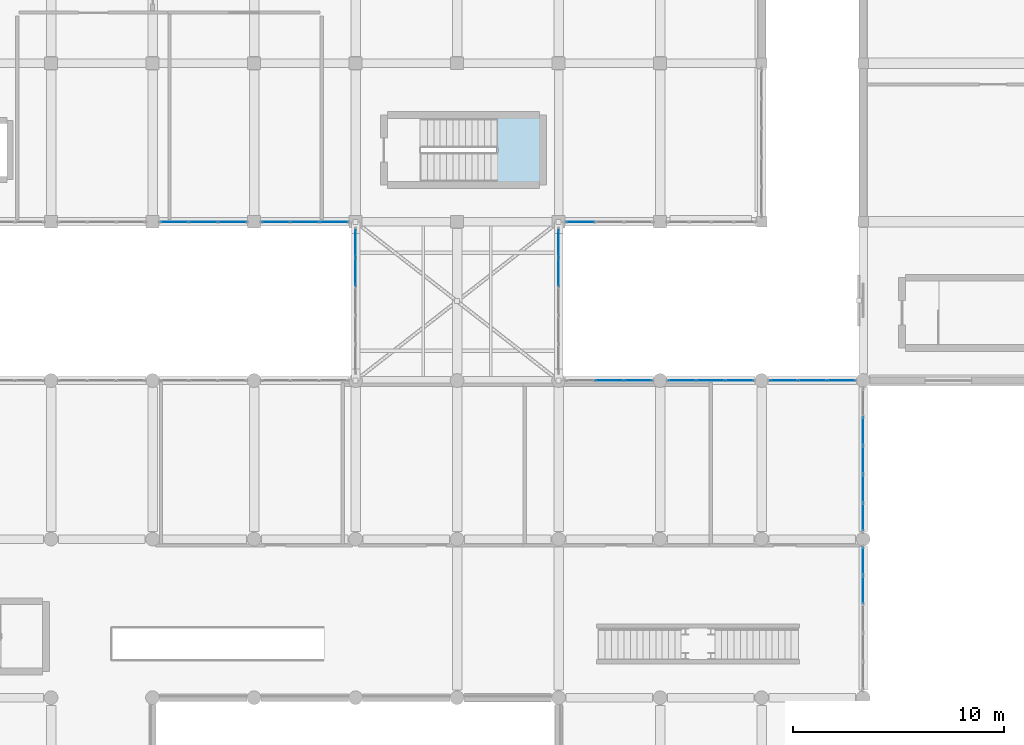
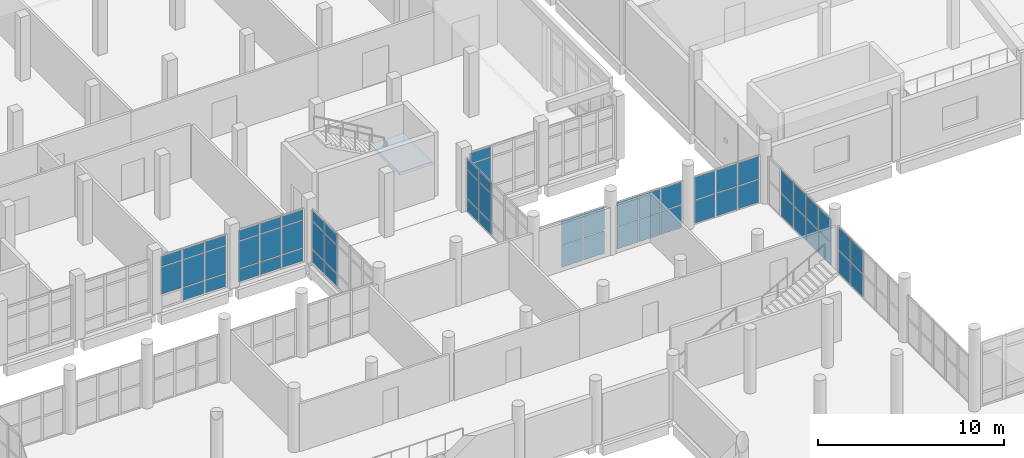
# One storey, part 133 of 164: 60 plates, 1 slab, 11 elements without a shape of their own.
"""IFC4 building model written with IfcOpenShell, lengths in metres."""

import ifcopenshell
import ifcopenshell.guid

model = None  # the IFC model being written
_history = None  # IfcOwnerHistory: only IFC2X3 demands one
_inside = {}  # id of a spatial element -> (the spatial element, [elements in it])
_under = {}  # id of a project, library or spatial element -> (it, [spatial elements below it])
_declared = {}  # id of a project -> (the project, [libraries it declares])
_typed = {}  # id of a type object -> (the type object, [elements of that type])
_made_of = {}  # id of a material, layer set ... -> (it, [elements and type objects made of it])


def new_model(schema):
    """Start an empty IFC model of exactly this schema.

    Asked for "IFC4X3", IfcOpenShell would pick the latest addendum, in which some entities
    have other attributes; the version numbers below select the first issue.
    IFC2X3 requires an IfcOwnerHistory on every rooted entity: one is made here for all.
    """
    global model, _history
    if schema == "IFC4X3":
        model = ifcopenshell.file(schema_version=(4, 3, 0, 0))
    else:
        model = ifcopenshell.file(schema=schema)
    _inside.clear()
    _under.clear()
    _declared.clear()
    _typed.clear()
    _made_of.clear()
    _history = None
    if model.schema == "IFC2X3":
        org = make("IfcOrganization", Name="unknown")
        user = make(
            "IfcPersonAndOrganization",
            ThePerson=make("IfcPerson", FamilyName="unknown"),
            TheOrganization=org,
        )
        app = make(
            "IfcApplication",
            ApplicationDeveloper=org,
            Version="unknown",
            ApplicationFullName="unknown",
            ApplicationIdentifier="unknown",
        )
        _history = make(
            "IfcOwnerHistory",
            OwningUser=user,
            OwningApplication=app,
            ChangeAction="ADDED",
            CreationDate=0,
        )
    return model


def make(cls, **values):
    """One entity of the class cls with the attributes given. An attribute that is None is left unset."""
    return model.create_entity(
        cls, **{name: value for name, value in values.items() if value is not None}
    )


def rooted(cls, **values):
    """An entity with a GlobalId (a new one), such as an element, a storey or a relation."""
    return make(cls, GlobalId=ifcopenshell.guid.new(), OwnerHistory=_history, **values)


def si_unit(unit_type, name, prefix=None):
    """IfcSIUnit, for example si_unit("LENGTHUNIT", "METRE", prefix="MILLI")."""
    return make("IfcSIUnit", UnitType=unit_type, Prefix=prefix, Name=name)


def assignment(units):
    """IfcUnitAssignment: the units of a project."""
    return None if units is None else make("IfcUnitAssignment", Units=units)


def point(xyz):
    """IfcCartesianPoint."""
    return None if xyz is None else make("IfcCartesianPoint", Coordinates=xyz)


def direction(xyz):
    """IfcDirection."""
    return None if xyz is None else make("IfcDirection", DirectionRatios=xyz)


def frame(location, z_axis=None, x_axis=None):
    """IfcAxis2Placement3D, a coordinate frame: its origin and axes. An axis left out is left unset."""
    return make(
        "IfcAxis2Placement3D",
        Location=point(location),
        Axis=direction(z_axis),
        RefDirection=direction(x_axis),
    )


def frame_2d(location, x_axis=None):
    """IfcAxis2Placement2D, a coordinate frame in the plane: its origin and x axis."""
    return make(
        "IfcAxis2Placement2D", Location=point(location), RefDirection=direction(x_axis)
    )


def origin():
    """The frame at (0, 0, 0) with its axes left unset."""
    return frame((0.0, 0.0, 0.0))


def origin_2d():
    """The frame at (0, 0) in the plane with its x axis left unset."""
    return frame_2d((0.0, 0.0))


def place(relative_to, where):
    """IfcLocalPlacement: puts the frame where relative to a parent placement (None: the world)."""
    return make(
        "IfcLocalPlacement", PlacementRelTo=relative_to, RelativePlacement=where
    )


def context(
    kind, dimensions, precision=None, world=None, true_north=None, identifier=None
):
    """IfcGeometricRepresentationContext, for example the 3D "Model" context."""
    return make(
        "IfcGeometricRepresentationContext",
        ContextIdentifier=identifier,
        ContextType=kind,
        CoordinateSpaceDimension=dimensions,
        Precision=precision,
        WorldCoordinateSystem=world,
        TrueNorth=true_north,
    )


def subcontext(parent, identifier, kind, view, scale=None):
    """IfcGeometricRepresentationSubContext, for example "Body" below "Model"."""
    return make(
        "IfcGeometricRepresentationSubContext",
        ContextIdentifier=identifier,
        ContextType=kind,
        ParentContext=parent,
        TargetScale=scale,
        TargetView=view,
    )


def project(units=None, contexts=None):
    """IfcProject with its units and contexts."""
    return rooted(
        "IfcProject",
        Name="project",
        RepresentationContexts=contexts,
        UnitsInContext=assignment(units),
    )


def spatial(cls, under=None, at=None, **own):
    """A site, building, storey or space (cls), placed at a placement, below another one or the project."""
    s = rooted(cls, ObjectPlacement=at, **own)
    if under is not None:
        _under.setdefault(under.id(), (under, []))[1].append(s)
    return s


def polyline(points):
    """IfcPolyline through the points."""
    return make("IfcPolyline", Points=[point(p) for p in points])


def profile(cls, at=None, kind="AREA", **sizes):
    """A parametric profile (cls). Its sizes go by their IFC names, for example OverallWidth=200.0."""
    return make(cls, ProfileType=kind, Position=at, **sizes)


def rectangle(**sizes):
    """IfcRectangleProfileDef."""
    return profile("IfcRectangleProfileDef", **sizes)


def outline(outer, holes=None, kind="AREA"):
    """IfcArbitraryClosedProfileDef: a profile drawn as a closed curve; with holes, ...WithVoids."""
    if holes is None:
        return make("IfcArbitraryClosedProfileDef", ProfileType=kind, OuterCurve=outer)
    return make(
        "IfcArbitraryProfileDefWithVoids",
        ProfileType=kind,
        OuterCurve=outer,
        InnerCurves=holes,
    )


def extrude(swept, where, along, depth):
    """IfcExtrudedAreaSolid: the profile swept, set in the frame where, extruded along a direction by depth."""
    return make(
        "IfcExtrudedAreaSolid",
        SweptArea=swept,
        Position=where,
        ExtrudedDirection=direction(along),
        Depth=depth,
    )


def shape(context_of_items, identifier, shape_type, items):
    """IfcShapeRepresentation: the items that make up one representation, for example the "Body"."""
    return make(
        "IfcShapeRepresentation",
        ContextOfItems=context_of_items,
        RepresentationIdentifier=identifier,
        RepresentationType=shape_type,
        Items=items,
    )


def material(Name=None, Category=None):
    """IfcMaterial."""
    return make("IfcMaterial", Name=Name, Category=Category)


def layer(
    of_material, thickness, ventilated=None, Name=None, Category=None, Priority=None
):
    """IfcMaterialLayer: one layer of a wall or slab, of a material (None: an air gap)."""
    return make(
        "IfcMaterialLayer",
        Material=of_material,
        LayerThickness=thickness,
        IsVentilated=ventilated,
        Name=Name,
        Category=Category,
        Priority=Priority,
    )


def layer_set(layers, Name=None):
    """IfcMaterialLayerSet."""
    return make("IfcMaterialLayerSet", MaterialLayers=layers, LayerSetName=Name)


def made_of(thing, what):
    """Note that an element or type object is made of a material, layer set ...; save() writes the relation."""
    if what is not None:
        _made_of.setdefault(what.id(), (what, []))[1].append(thing)
    return thing


def type_object(cls, material=None, **own):
    """A type object (cls), such as IfcWallType, which elements share."""
    return made_of(rooted(cls, **own), material)


def element(
    cls,
    number,
    at=None,
    inside=None,
    cuts=None,
    type_object=None,
    material=None,
    context=None,
    identifier="Body",
    shape_type=None,
    held_by="IfcProductDefinitionShape",
    body=None,
    shapes=None,
    **own,
):
    """One element of the class cls, such as IfcWall. Its Tag is "e" and its number.

    at: its placement. inside: the storey or other place that contains it. cuts: it is an
    opening in that element (IfcRelVoidsElement). A single representation is given by context,
    identifier, shape_type and body (its items); several are given by shapes. held_by: the class
    of the entity that holds the representations. save() writes the other relations.
    """
    e = rooted(cls, Tag="e%d" % number, ObjectPlacement=at, **own)
    if body is not None:
        shapes = [shape(context, identifier, shape_type, body)]
    if shapes is not None:
        e.Representation = make(held_by, Representations=shapes)
    if inside is not None:
        _inside.setdefault(inside.id(), (inside, []))[1].append(e)
    if cuts is not None:
        rooted(
            "IfcRelVoidsElement", RelatingBuildingElement=cuts, RelatedOpeningElement=e
        )
    if type_object is not None:
        _typed.setdefault(type_object.id(), (type_object, []))[1].append(e)
    return made_of(e, material)


def aggregate(whole, parts):
    """IfcRelAggregates: a whole, such as a stair, and the parts it consists of."""
    return rooted("IfcRelAggregates", RelatingObject=whole, RelatedObjects=parts)


def save(model, path):
    """Write the relations noted so far, then the file.

    IfcRelAggregates (storeys below a building ...), IfcRelContainedInSpatialStructure (elements
    in a storey), IfcRelDefinesByType, IfcRelAssociatesMaterial and IfcRelDeclares: one each for
    every whole, place, type object, material and project.
    """
    for whole, parts in _under.values():
        aggregate(whole, parts)
    for where, things in _inside.values():
        rooted(
            "IfcRelContainedInSpatialStructure",
            RelatedElements=things,
            RelatingStructure=where,
        )
    for kind, things in _typed.values():
        rooted("IfcRelDefinesByType", RelatedObjects=things, RelatingType=kind)
    for what, things in _made_of.values():
        rooted("IfcRelAssociatesMaterial", RelatedObjects=things, RelatingMaterial=what)
    for by, libraries in _declared.values():
        rooted("IfcRelDeclares", RelatingContext=by, RelatedDefinitions=libraries)
    model.write(path)


model = new_model("IFC4")

# Units and contexts
model_context = context("Model", 3, precision=1e-05, world=origin(), true_north=direction((0.0, 1.0)))
body_context = subcontext(model_context, "Body", "Model", "MODEL_VIEW")
ifc_project = project(units=[si_unit("LENGTHUNIT", "METRE"), si_unit("AREAUNIT", "SQUARE_METRE"), si_unit("VOLUMEUNIT", "CUBIC_METRE"), si_unit("PLANEANGLEUNIT", "RADIAN"), si_unit("MASSUNIT", "GRAM", prefix="KILO")], contexts=[model_context])

# Site, building, storey
site_placement = place(None, origin())
site = spatial("IfcSite", under=ifc_project, at=site_placement, CompositionType="ELEMENT")
building_placement = place(site_placement, origin())
building = spatial("IfcBuilding", under=site, at=building_placement, Name="Mawjan Specialist Oncology Clinic", CompositionType="ELEMENT")
storey_placement = place(building_placement, frame((0.0, 0.0, 5.0)))
storey = spatial("IfcBuildingStorey", under=building, at=storey_placement, Name="L01", CompositionType="ELEMENT", Elevation=5.0)

# Curtain wall, plates
ifc_material_1 = material(Name="Unitised spectrally selective aluminium curtain wall", Category="aluminium")
ifc_layer_1 = layer(ifc_material_1, 0.179931640625, Name="Unitised spectrally selective aluminium curtain wall", Category="aluminium")
ifc_layer_set_1 = layer_set([ifc_layer_1], Name="Unitised spectrally selective aluminium curtain wall")
curtain_wall_type_1 = type_object("IfcCurtainWallType", Name="CW-57", PredefinedType="NOTDEFINED", material=ifc_layer_set_1)
curtain_wall_1_placement = place(storey_placement, origin())
curtain_wall_1 = element("IfcCurtainWall", 1, at=curtain_wall_1_placement, inside=storey, type_object=curtain_wall_type_1, Name="L01 Unitised Curtain Wall CW-L01-108", PredefinedType="NOTDEFINED")
ifc_material_2 = material(Name="Spectrally selective double low-E glazing", Category="glass")
ifc_layer_2 = layer(ifc_material_2, 0.031982421875, Name="Spectrally selective double low-E glazing", Category="glass")
ifc_layer_set_2 = layer_set([ifc_layer_2], Name="Spectrally selective double low-E glazing")
plate_type = type_object("IfcPlateType", Name="CW-P32", PredefinedType="CURTAIN_PANEL", material=ifc_layer_set_2)
plate_1_placement = place(storey_placement, frame((84.0, 80.929443359375, 0.06494140625), z_axis=(0.0, 0.0, 1.0), x_axis=(0.0, 1.0, 0.0)))
plate_1 = element("IfcPlate", 2, at=plate_1_placement, type_object=plate_type, Name="CW-57 panel 4.1", PredefinedType="CURTAIN_PANEL", context=body_context, shape_type="SweptSolid", body=[
    extrude(rectangle(XDim=1.302001953125, YDim=0.031982421875, at=origin_2d()), origin(), (0.0, 0.0, 1.0), 0.802490234375),
])
plate_2_placement = place(storey_placement, frame((84.0, 80.929443359375, 0.9326171875), z_axis=(0.0, 0.0, 1.0), x_axis=(0.0, 1.0, 0.0)))
plate_2 = element("IfcPlate", 3, at=plate_2_placement, type_object=plate_type, Name="CW-57 panel 4.2", PredefinedType="CURTAIN_PANEL", context=body_context, shape_type="SweptSolid", body=[
    extrude(rectangle(XDim=1.302001953125, YDim=0.031982421875, at=origin_2d()), origin(), (0.0, 0.0, 1.0), 1.820068359375),
])
plate_3_placement = place(storey_placement, frame((84.0, 80.929443359375, 2.8173828125), z_axis=(0.0, 0.0, 1.0), x_axis=(0.0, 1.0, 0.0)))
plate_3 = element("IfcPlate", 4, at=plate_3_placement, type_object=plate_type, Name="CW-57 panel 4.3", PredefinedType="CURTAIN_PANEL", context=body_context, shape_type="SweptSolid", body=[
    extrude(rectangle(XDim=1.302001953125, YDim=0.031982421875, at=origin_2d()), origin(), (0.0, 0.0, 1.0), 0.652587890625),
])
plate_4_placement = place(storey_placement, frame((84.0, 82.2802734375, 0.06494140625), z_axis=(0.0, 0.0, 1.0), x_axis=(0.0, 1.0, 0.0)))
plate_4 = element("IfcPlate", 5, at=plate_4_placement, type_object=plate_type, Name="CW-57 panel 5.1", PredefinedType="CURTAIN_PANEL", context=body_context, shape_type="SweptSolid", body=[
    extrude(rectangle(XDim=1.26953125, YDim=0.031982421875, at=origin_2d()), origin(), (0.0, 0.0, 1.0), 0.802490234375),
])
plate_5_placement = place(storey_placement, frame((84.0, 82.2802734375, 0.9326171875), z_axis=(0.0, 0.0, 1.0), x_axis=(0.0, 1.0, 0.0)))
plate_5 = element("IfcPlate", 6, at=plate_5_placement, type_object=plate_type, Name="CW-57 panel 5.2", PredefinedType="CURTAIN_PANEL", context=body_context, shape_type="SweptSolid", body=[
    extrude(rectangle(XDim=1.26953125, YDim=0.031982421875, at=origin_2d()), origin(), (0.0, 0.0, 1.0), 1.820068359375),
])
plate_6_placement = place(storey_placement, frame((84.0, 82.2802734375, 2.8173828125), z_axis=(0.0, 0.0, 1.0), x_axis=(0.0, 1.0, 0.0)))
plate_6 = element("IfcPlate", 7, at=plate_6_placement, type_object=plate_type, Name="CW-57 panel 5.3", PredefinedType="CURTAIN_PANEL", context=body_context, shape_type="SweptSolid", body=[
    extrude(rectangle(XDim=1.26953125, YDim=0.031982421875, at=origin_2d()), origin(), (0.0, 0.0, 1.0), 0.652587890625),
])
aggregate(curtain_wall_1, [plate_1, plate_2, plate_3, plate_4, plate_5, plate_6])

ifc_material_3 = material(Name="Unitised spectrally selective aluminium curtain wall", Category="aluminium")
ifc_layer_3 = layer(ifc_material_3, 0.179931640625, Name="Unitised spectrally selective aluminium curtain wall", Category="aluminium")
ifc_layer_set_3 = layer_set([ifc_layer_3], Name="Unitised spectrally selective aluminium curtain wall")
curtain_wall_type_2 = type_object("IfcCurtainWallType", Name="CW-58", PredefinedType="NOTDEFINED", material=ifc_layer_set_3)
curtain_wall_2_placement = place(storey_placement, origin())
curtain_wall_2 = element("IfcCurtainWall", 8, at=curtain_wall_2_placement, inside=storey, type_object=curtain_wall_type_2, Name="L01 Unitised Curtain Wall CW-L01-109", PredefinedType="NOTDEFINED")
plate_7_placement = place(storey_placement, frame((82.9716796875, 83.300048828125, 0.06005859375), z_axis=(0.0, 0.0, 1.0), x_axis=(-1.0, 0.0, 0.0)))
plate_7 = element("IfcPlate", 9, at=plate_7_placement, type_object=plate_type, Name="CW-58 panel 1.1", PredefinedType="CURTAIN_PANEL", context=body_context, shape_type="SweptSolid", body=[
    extrude(rectangle(XDim=1.296630859375, YDim=0.031982421875, at=origin_2d()), origin(), (0.0, 0.0, 1.0), 0.81005859375),
])
plate_8_placement = place(storey_placement, frame((82.9716796875, 83.300048828125, 0.929931640625), z_axis=(0.0, 0.0, 1.0), x_axis=(-1.0, 0.0, 0.0)))
plate_8 = element("IfcPlate", 10, at=plate_8_placement, type_object=plate_type, Name="CW-58 panel 1.2", PredefinedType="CURTAIN_PANEL", context=body_context, shape_type="SweptSolid", body=[
    extrude(rectangle(XDim=1.296630859375, YDim=0.031982421875, at=origin_2d()), origin(), (0.0, 0.0, 1.0), 1.77490234375),
])
plate_9_placement = place(storey_placement, frame((82.9716796875, 83.300048828125, 2.76513671875), z_axis=(0.0, 0.0, 1.0), x_axis=(-1.0, 0.0, 0.0)))
plate_9 = element("IfcPlate", 11, at=plate_9_placement, type_object=plate_type, Name="CW-58 panel 1.3", PredefinedType="CURTAIN_PANEL", context=body_context, shape_type="SweptSolid", body=[
    extrude(rectangle(XDim=1.296630859375, YDim=0.031982421875, at=origin_2d()), origin(), (0.0, 0.0, 1.0), 0.659912109375),
])
plate_10_placement = place(storey_placement, frame((81.60009765625, 83.300048828125, 0.06005859375), z_axis=(0.0, 0.0, 1.0), x_axis=(-1.0, 0.0, 0.0)))
plate_10 = element("IfcPlate", 12, at=plate_10_placement, type_object=plate_type, Name="CW-58 panel 2.1", PredefinedType="CURTAIN_PANEL", context=body_context, shape_type="SweptSolid", body=[
    extrude(rectangle(XDim=1.32666015625, YDim=0.031982421875, at=origin_2d()), origin(), (0.0, 0.0, 1.0), 0.81005859375),
])
plate_11_placement = place(storey_placement, frame((81.60009765625, 83.300048828125, 0.929931640625), z_axis=(0.0, 0.0, 1.0), x_axis=(-1.0, 0.0, 0.0)))
plate_11 = element("IfcPlate", 13, at=plate_11_placement, type_object=plate_type, Name="CW-58 panel 2.2", PredefinedType="CURTAIN_PANEL", context=body_context, shape_type="SweptSolid", body=[
    extrude(rectangle(XDim=1.32666015625, YDim=0.031982421875, at=origin_2d()), origin(), (0.0, 0.0, 1.0), 1.77490234375),
])
plate_12_placement = place(storey_placement, frame((81.60009765625, 83.300048828125, 2.76513671875), z_axis=(0.0, 0.0, 1.0), x_axis=(-1.0, 0.0, 0.0)))
plate_12 = element("IfcPlate", 14, at=plate_12_placement, type_object=plate_type, Name="CW-58 panel 2.3", PredefinedType="CURTAIN_PANEL", context=body_context, shape_type="SweptSolid", body=[
    extrude(rectangle(XDim=1.32666015625, YDim=0.031982421875, at=origin_2d()), origin(), (0.0, 0.0, 1.0), 0.659912109375),
])
plate_13_placement = place(storey_placement, frame((80.228271484375, 83.300048828125, 0.06005859375), z_axis=(0.0, 0.0, 1.0), x_axis=(-1.0, 0.0, 0.0)))
plate_13 = element("IfcPlate", 15, at=plate_13_placement, type_object=plate_type, Name="CW-58 panel 3.1", PredefinedType="CURTAIN_PANEL", context=body_context, shape_type="SweptSolid", body=[
    extrude(rectangle(XDim=1.296630859375, YDim=0.031982421875, at=origin_2d()), origin(), (0.0, 0.0, 1.0), 0.81005859375),
])
plate_14_placement = place(storey_placement, frame((80.228271484375, 83.300048828125, 0.929931640625), z_axis=(0.0, 0.0, 1.0), x_axis=(-1.0, 0.0, 0.0)))
plate_14 = element("IfcPlate", 16, at=plate_14_placement, type_object=plate_type, Name="CW-58 panel 3.2", PredefinedType="CURTAIN_PANEL", context=body_context, shape_type="SweptSolid", body=[
    extrude(rectangle(XDim=1.296630859375, YDim=0.031982421875, at=origin_2d()), origin(), (0.0, 0.0, 1.0), 1.77490234375),
])
plate_15_placement = place(storey_placement, frame((80.228271484375, 83.300048828125, 2.76513671875), z_axis=(0.0, 0.0, 1.0), x_axis=(-1.0, 0.0, 0.0)))
plate_15 = element("IfcPlate", 17, at=plate_15_placement, type_object=plate_type, Name="CW-58 panel 3.3", PredefinedType="CURTAIN_PANEL", context=body_context, shape_type="SweptSolid", body=[
    extrude(rectangle(XDim=1.296630859375, YDim=0.031982421875, at=origin_2d()), origin(), (0.0, 0.0, 1.0), 0.659912109375),
])
aggregate(curtain_wall_2, [plate_7, plate_8, plate_9, plate_10, plate_11, plate_12, plate_13, plate_14, plate_15])

curtain_wall_3_placement = place(storey_placement, origin())
curtain_wall_3 = element("IfcCurtainWall", 18, at=curtain_wall_3_placement, inside=storey, type_object=curtain_wall_type_2, Name="L01 Unitised Curtain Wall CW-L01-110", PredefinedType="NOTDEFINED")
plate_16_placement = place(storey_placement, frame((78.171630859375, 83.300048828125, 0.06005859375), z_axis=(0.0, 0.0, 1.0), x_axis=(-1.0, 0.0, 0.0)))
plate_16 = element("IfcPlate", 19, at=plate_16_placement, type_object=plate_type, Name="CW-58 panel 1.1", PredefinedType="CURTAIN_PANEL", context=body_context, shape_type="SweptSolid", body=[
    extrude(rectangle(XDim=1.296630859375, YDim=0.031982421875, at=origin_2d()), origin(), (0.0, 0.0, 1.0), 0.81005859375),
])
plate_17_placement = place(storey_placement, frame((78.171630859375, 83.300048828125, 0.929931640625), z_axis=(0.0, 0.0, 1.0), x_axis=(-1.0, 0.0, 0.0)))
plate_17 = element("IfcPlate", 20, at=plate_17_placement, type_object=plate_type, Name="CW-58 panel 1.2", PredefinedType="CURTAIN_PANEL", context=body_context, shape_type="SweptSolid", body=[
    extrude(rectangle(XDim=1.296630859375, YDim=0.031982421875, at=origin_2d()), origin(), (0.0, 0.0, 1.0), 1.77490234375),
])
plate_18_placement = place(storey_placement, frame((78.171630859375, 83.300048828125, 2.76513671875), z_axis=(0.0, 0.0, 1.0), x_axis=(-1.0, 0.0, 0.0)))
plate_18 = element("IfcPlate", 21, at=plate_18_placement, type_object=plate_type, Name="CW-58 panel 1.3", PredefinedType="CURTAIN_PANEL", context=body_context, shape_type="SweptSolid", body=[
    extrude(rectangle(XDim=1.296630859375, YDim=0.031982421875, at=origin_2d()), origin(), (0.0, 0.0, 1.0), 0.659912109375),
])
plate_19_placement = place(storey_placement, frame((76.800048828125, 83.300048828125, 0.06005859375), z_axis=(0.0, 0.0, 1.0), x_axis=(-1.0, 0.0, 0.0)))
plate_19 = element("IfcPlate", 22, at=plate_19_placement, type_object=plate_type, Name="CW-58 panel 2.1", PredefinedType="CURTAIN_PANEL", context=body_context, shape_type="SweptSolid", body=[
    extrude(rectangle(XDim=1.32666015625, YDim=0.031982421875, at=origin_2d()), origin(), (0.0, 0.0, 1.0), 0.81005859375),
])
plate_20_placement = place(storey_placement, frame((76.800048828125, 83.300048828125, 0.929931640625), z_axis=(0.0, 0.0, 1.0), x_axis=(-1.0, 0.0, 0.0)))
plate_20 = element("IfcPlate", 23, at=plate_20_placement, type_object=plate_type, Name="CW-58 panel 2.2", PredefinedType="CURTAIN_PANEL", context=body_context, shape_type="SweptSolid", body=[
    extrude(rectangle(XDim=1.32666015625, YDim=0.031982421875, at=origin_2d()), origin(), (0.0, 0.0, 1.0), 1.77490234375),
])
plate_21_placement = place(storey_placement, frame((76.800048828125, 83.300048828125, 2.76513671875), z_axis=(0.0, 0.0, 1.0), x_axis=(-1.0, 0.0, 0.0)))
plate_21 = element("IfcPlate", 24, at=plate_21_placement, type_object=plate_type, Name="CW-58 panel 2.3", PredefinedType="CURTAIN_PANEL", context=body_context, shape_type="SweptSolid", body=[
    extrude(rectangle(XDim=1.32666015625, YDim=0.031982421875, at=origin_2d()), origin(), (0.0, 0.0, 1.0), 0.659912109375),
])
plate_22_placement = place(storey_placement, frame((75.42822265625, 83.300048828125, 0.929931640625), z_axis=(0.0, 0.0, 1.0), x_axis=(-1.0, 0.0, 0.0)))
plate_22 = element("IfcPlate", 25, at=plate_22_placement, type_object=plate_type, Name="CW-58 panel 3.2", PredefinedType="CURTAIN_PANEL", context=body_context, shape_type="SweptSolid", body=[
    extrude(rectangle(XDim=1.296630859375, YDim=0.031982421875, at=origin_2d()), origin(), (0.0, 0.0, 1.0), 1.77490234375),
])
plate_23_placement = place(storey_placement, frame((75.42822265625, 83.300048828125, 2.76513671875), z_axis=(0.0, 0.0, 1.0), x_axis=(-1.0, 0.0, 0.0)))
plate_23 = element("IfcPlate", 26, at=plate_23_placement, type_object=plate_type, Name="CW-58 panel 3.3", PredefinedType="CURTAIN_PANEL", context=body_context, shape_type="SweptSolid", body=[
    extrude(rectangle(XDim=1.296630859375, YDim=0.031982421875, at=origin_2d()), origin(), (0.0, 0.0, 1.0), 0.659912109375),
])
aggregate(curtain_wall_3, [plate_16, plate_17, plate_18, plate_19, plate_20, plate_21, plate_22, plate_23])

ifc_material_4 = material(Name="Unitised spectrally selective aluminium curtain wall", Category="aluminium")
ifc_layer_4 = layer(ifc_material_4, 0.179931640625, Name="Unitised spectrally selective aluminium curtain wall", Category="aluminium")
ifc_layer_set_4 = layer_set([ifc_layer_4], Name="Unitised spectrally selective aluminium curtain wall")
curtain_wall_type_3 = type_object("IfcCurtainWallType", Name="CW-59", PredefinedType="NOTDEFINED", material=ifc_layer_set_4)
curtain_wall_4_placement = place(storey_placement, origin())
curtain_wall_4 = element("IfcCurtainWall", 27, at=curtain_wall_4_placement, inside=storey, type_object=curtain_wall_type_3, Name="L01 Unitised Curtain Wall CW-L01-127", PredefinedType="NOTDEFINED")
plate_24_placement = place(storey_placement, frame((94.62841796875, 83.300048828125, 0.06005859375), z_axis=(0.0, 0.0, 1.0), x_axis=(-1.0, 0.0, 0.0)))
plate_24 = element("IfcPlate", 28, at=plate_24_placement, type_object=plate_type, Name="CW-59 panel 3.1", PredefinedType="CURTAIN_PANEL", context=body_context, shape_type="SweptSolid", body=[
    extrude(rectangle(XDim=1.296630859375, YDim=0.031982421875, at=origin_2d()), origin(), (0.0, 0.0, 1.0), 0.81005859375),
])
plate_25_placement = place(storey_placement, frame((94.62841796875, 83.300048828125, 0.93017578125), z_axis=(0.0, 0.0, 1.0), x_axis=(-1.0, 0.0, 0.0)))
plate_25 = element("IfcPlate", 29, at=plate_25_placement, type_object=plate_type, Name="CW-59 panel 3.2", PredefinedType="CURTAIN_PANEL", context=body_context, shape_type="SweptSolid", body=[
    extrude(rectangle(XDim=1.296630859375, YDim=0.031982421875, at=origin_2d()), origin(), (0.0, 0.0, 1.0), 1.824951171875),
])
plate_26_placement = place(storey_placement, frame((94.62841796875, 83.300048828125, 2.81494140625), z_axis=(0.0, 0.0, 1.0), x_axis=(-1.0, 0.0, 0.0)))
plate_26 = element("IfcPlate", 30, at=plate_26_placement, type_object=plate_type, Name="CW-59 panel 3.3", PredefinedType="CURTAIN_PANEL", context=body_context, shape_type="SweptSolid", body=[
    extrude(rectangle(XDim=1.296630859375, YDim=0.031982421875, at=origin_2d()), origin(), (0.0, 0.0, 1.0), 0.659912109375),
])
aggregate(curtain_wall_4, [plate_24, plate_25, plate_26])

curtain_wall_5_placement = place(storey_placement, origin())
curtain_wall_5 = element("IfcCurtainWall", 31, at=curtain_wall_5_placement, inside=storey, type_object=curtain_wall_type_1, Name="L01 Unitised Curtain Wall CW-L01-128", PredefinedType="NOTDEFINED")
plate_27_placement = place(storey_placement, frame((93.60009765625, 82.2802734375, 0.06494140625), z_axis=(0.0, 0.0, 1.0), x_axis=(0.0, -1.0, 0.0)))
plate_27 = element("IfcPlate", 32, at=plate_27_placement, type_object=plate_type, Name="CW-57 panel 1.1", PredefinedType="CURTAIN_PANEL", context=body_context, shape_type="SweptSolid", body=[
    extrude(rectangle(XDim=1.26953125, YDim=0.031982421875, at=origin_2d()), origin(), (0.0, 0.0, 1.0), 0.802490234375),
])
plate_28_placement = place(storey_placement, frame((93.60009765625, 82.2802734375, 0.9326171875), z_axis=(0.0, 0.0, 1.0), x_axis=(0.0, -1.0, 0.0)))
plate_28 = element("IfcPlate", 33, at=plate_28_placement, type_object=plate_type, Name="CW-57 panel 1.2", PredefinedType="CURTAIN_PANEL", context=body_context, shape_type="SweptSolid", body=[
    extrude(rectangle(XDim=1.26953125, YDim=0.031982421875, at=origin_2d()), origin(), (0.0, 0.0, 1.0), 1.820068359375),
])
plate_29_placement = place(storey_placement, frame((93.60009765625, 82.2802734375, 2.8173828125), z_axis=(0.0, 0.0, 1.0), x_axis=(0.0, -1.0, 0.0)))
plate_29 = element("IfcPlate", 34, at=plate_29_placement, type_object=plate_type, Name="CW-57 panel 1.3", PredefinedType="CURTAIN_PANEL", context=body_context, shape_type="SweptSolid", body=[
    extrude(rectangle(XDim=1.26953125, YDim=0.031982421875, at=origin_2d()), origin(), (0.0, 0.0, 1.0), 0.652587890625),
])
plate_30_placement = place(storey_placement, frame((93.60009765625, 80.929443359375, 0.06494140625), z_axis=(0.0, 0.0, 1.0), x_axis=(0.0, -1.0, 0.0)))
plate_30 = element("IfcPlate", 35, at=plate_30_placement, type_object=plate_type, Name="CW-57 panel 2.1", PredefinedType="CURTAIN_PANEL", context=body_context, shape_type="SweptSolid", body=[
    extrude(rectangle(XDim=1.302001953125, YDim=0.031982421875, at=origin_2d()), origin(), (0.0, 0.0, 1.0), 0.802490234375),
])
plate_31_placement = place(storey_placement, frame((93.60009765625, 80.929443359375, 0.9326171875), z_axis=(0.0, 0.0, 1.0), x_axis=(0.0, -1.0, 0.0)))
plate_31 = element("IfcPlate", 36, at=plate_31_placement, type_object=plate_type, Name="CW-57 panel 2.2", PredefinedType="CURTAIN_PANEL", context=body_context, shape_type="SweptSolid", body=[
    extrude(rectangle(XDim=1.302001953125, YDim=0.031982421875, at=origin_2d()), origin(), (0.0, 0.0, 1.0), 1.820068359375),
])
plate_32_placement = place(storey_placement, frame((93.60009765625, 80.929443359375, 2.8173828125), z_axis=(0.0, 0.0, 1.0), x_axis=(0.0, -1.0, 0.0)))
plate_32 = element("IfcPlate", 37, at=plate_32_placement, type_object=plate_type, Name="CW-57 panel 2.3", PredefinedType="CURTAIN_PANEL", context=body_context, shape_type="SweptSolid", body=[
    extrude(rectangle(XDim=1.302001953125, YDim=0.031982421875, at=origin_2d()), origin(), (0.0, 0.0, 1.0), 0.652587890625),
])
aggregate(curtain_wall_5, [plate_27, plate_28, plate_29, plate_30, plate_31, plate_32])

ifc_material_5 = material(Name="Unitised spectrally selective aluminium curtain wall", Category="aluminium")
ifc_layer_5 = layer(ifc_material_5, 0.179931640625, Name="Unitised spectrally selective aluminium curtain wall", Category="aluminium")
ifc_layer_set_5 = layer_set([ifc_layer_5], Name="Unitised spectrally selective aluminium curtain wall")
curtain_wall_type_4 = type_object("IfcCurtainWallType", Name="CW-56", PredefinedType="NOTDEFINED", material=ifc_layer_set_5)
curtain_wall_6_placement = place(storey_placement, origin())
curtain_wall_6 = element("IfcCurtainWall", 38, at=curtain_wall_6_placement, inside=storey, type_object=curtain_wall_type_4, Name="L01 Unitised Curtain Wall CW-L01-129", PredefinedType="NOTDEFINED")
plate_33_placement = place(storey_placement, frame((96.0, 75.800048828125, 0.06005859375), z_axis=(0.0, 0.0, 1.0), x_axis=(1.0, 0.0, 0.0)))
plate_33 = element("IfcPlate", 39, at=plate_33_placement, type_object=plate_type, Name="CW-56 panel 2.1", PredefinedType="CURTAIN_PANEL", context=body_context, shape_type="SweptSolid", body=[
    extrude(rectangle(XDim=1.31005859375, YDim=0.031982421875, at=origin_2d()), origin(), (0.0, 0.0, 1.0), 1.47998046875),
])
plate_34_placement = place(storey_placement, frame((96.0, 75.800048828125, 1.60009765625), z_axis=(0.0, 0.0, 1.0), x_axis=(1.0, 0.0, 0.0)))
plate_34 = element("IfcPlate", 40, at=plate_34_placement, type_object=plate_type, Name="CW-56 panel 2.2", PredefinedType="CURTAIN_PANEL", context=body_context, shape_type="SweptSolid", body=[
    extrude(rectangle(XDim=1.31005859375, YDim=0.031982421875, at=origin_2d()), origin(), (0.0, 0.0, 1.0), 1.47998046875),
])
plate_35_placement = place(storey_placement, frame((97.35498046875, 75.800048828125, 0.06005859375), z_axis=(0.0, 0.0, 1.0), x_axis=(1.0, 0.0, 0.0)))
plate_35 = element("IfcPlate", 41, at=plate_35_placement, type_object=plate_type, Name="CW-56 panel 3.1", PredefinedType="CURTAIN_PANEL", context=body_context, shape_type="SweptSolid", body=[
    extrude(rectangle(XDim=1.280029296875, YDim=0.031982421875, at=origin_2d()), origin(), (0.0, 0.0, 1.0), 1.47998046875),
])
plate_36_placement = place(storey_placement, frame((97.35498046875, 75.800048828125, 1.60009765625), z_axis=(0.0, 0.0, 1.0), x_axis=(1.0, 0.0, 0.0)))
plate_36 = element("IfcPlate", 42, at=plate_36_placement, type_object=plate_type, Name="CW-56 panel 3.2", PredefinedType="CURTAIN_PANEL", context=body_context, shape_type="SweptSolid", body=[
    extrude(rectangle(XDim=1.280029296875, YDim=0.031982421875, at=origin_2d()), origin(), (0.0, 0.0, 1.0), 1.47998046875),
])
aggregate(curtain_wall_6, [plate_33, plate_34, plate_35, plate_36])

curtain_wall_7_placement = place(storey_placement, origin())
curtain_wall_7 = element("IfcCurtainWall", 43, at=curtain_wall_7_placement, inside=storey, type_object=curtain_wall_type_4, Name="L01 Unitised Curtain Wall CW-L01-130", PredefinedType="NOTDEFINED")
plate_37_placement = place(storey_placement, frame((99.445068359375, 75.800048828125, 0.06005859375), z_axis=(0.0, 0.0, 1.0), x_axis=(1.0, 0.0, 0.0)))
plate_37 = element("IfcPlate", 44, at=plate_37_placement, type_object=plate_type, Name="CW-56 panel 1.1", PredefinedType="CURTAIN_PANEL", context=body_context, shape_type="SweptSolid", body=[
    extrude(rectangle(XDim=1.280029296875, YDim=0.031982421875, at=origin_2d()), origin(), (0.0, 0.0, 1.0), 1.47998046875),
])
plate_38_placement = place(storey_placement, frame((99.445068359375, 75.800048828125, 1.60009765625), z_axis=(0.0, 0.0, 1.0), x_axis=(1.0, 0.0, 0.0)))
plate_38 = element("IfcPlate", 45, at=plate_38_placement, type_object=plate_type, Name="CW-56 panel 1.2", PredefinedType="CURTAIN_PANEL", context=body_context, shape_type="SweptSolid", body=[
    extrude(rectangle(XDim=1.280029296875, YDim=0.031982421875, at=origin_2d()), origin(), (0.0, 0.0, 1.0), 1.47998046875),
])
plate_39_placement = place(storey_placement, frame((100.800048828125, 75.800048828125, 0.06005859375), z_axis=(0.0, 0.0, 1.0), x_axis=(1.0, 0.0, 0.0)))
plate_39 = element("IfcPlate", 46, at=plate_39_placement, type_object=plate_type, Name="CW-56 panel 2.1", PredefinedType="CURTAIN_PANEL", context=body_context, shape_type="SweptSolid", body=[
    extrude(rectangle(XDim=1.31005859375, YDim=0.031982421875, at=origin_2d()), origin(), (0.0, 0.0, 1.0), 1.47998046875),
])
plate_40_placement = place(storey_placement, frame((100.800048828125, 75.800048828125, 1.60009765625), z_axis=(0.0, 0.0, 1.0), x_axis=(1.0, 0.0, 0.0)))
plate_40 = element("IfcPlate", 47, at=plate_40_placement, type_object=plate_type, Name="CW-56 panel 2.2", PredefinedType="CURTAIN_PANEL", context=body_context, shape_type="SweptSolid", body=[
    extrude(rectangle(XDim=1.31005859375, YDim=0.031982421875, at=origin_2d()), origin(), (0.0, 0.0, 1.0), 1.47998046875),
])
plate_41_placement = place(storey_placement, frame((102.155029296875, 75.800048828125, 0.06005859375), z_axis=(0.0, 0.0, 1.0), x_axis=(1.0, 0.0, 0.0)))
plate_41 = element("IfcPlate", 48, at=plate_41_placement, type_object=plate_type, Name="CW-56 panel 3.1", PredefinedType="CURTAIN_PANEL", context=body_context, shape_type="SweptSolid", body=[
    extrude(rectangle(XDim=1.280029296875, YDim=0.031982421875, at=origin_2d()), origin(), (0.0, 0.0, 1.0), 1.47998046875),
])
plate_42_placement = place(storey_placement, frame((102.155029296875, 75.800048828125, 1.60009765625), z_axis=(0.0, 0.0, 1.0), x_axis=(1.0, 0.0, 0.0)))
plate_42 = element("IfcPlate", 49, at=plate_42_placement, type_object=plate_type, Name="CW-56 panel 3.2", PredefinedType="CURTAIN_PANEL", context=body_context, shape_type="SweptSolid", body=[
    extrude(rectangle(XDim=1.280029296875, YDim=0.031982421875, at=origin_2d()), origin(), (0.0, 0.0, 1.0), 1.47998046875),
])
aggregate(curtain_wall_7, [plate_37, plate_38, plate_39, plate_40, plate_41, plate_42])

curtain_wall_8_placement = place(storey_placement, origin())
curtain_wall_8 = element("IfcCurtainWall", 50, at=curtain_wall_8_placement, inside=storey, type_object=curtain_wall_type_4, Name="L01 Unitised Curtain Wall CW-L01-131", PredefinedType="NOTDEFINED")
plate_43_placement = place(storey_placement, frame((104.2451171875, 75.800048828125, 0.06005859375), z_axis=(0.0, 0.0, 1.0), x_axis=(1.0, 0.0, 0.0)))
plate_43 = element("IfcPlate", 51, at=plate_43_placement, type_object=plate_type, Name="CW-56 panel 1.1", PredefinedType="CURTAIN_PANEL", context=body_context, shape_type="SweptSolid", body=[
    extrude(rectangle(XDim=1.280029296875, YDim=0.031982421875, at=origin_2d()), origin(), (0.0, 0.0, 1.0), 1.47998046875),
])
plate_44_placement = place(storey_placement, frame((104.2451171875, 75.800048828125, 1.60009765625), z_axis=(0.0, 0.0, 1.0), x_axis=(1.0, 0.0, 0.0)))
plate_44 = element("IfcPlate", 52, at=plate_44_placement, type_object=plate_type, Name="CW-56 panel 1.2", PredefinedType="CURTAIN_PANEL", context=body_context, shape_type="SweptSolid", body=[
    extrude(rectangle(XDim=1.280029296875, YDim=0.031982421875, at=origin_2d()), origin(), (0.0, 0.0, 1.0), 1.47998046875),
])
plate_45_placement = place(storey_placement, frame((105.60009765625, 75.800048828125, 0.06005859375), z_axis=(0.0, 0.0, 1.0), x_axis=(1.0, 0.0, 0.0)))
plate_45 = element("IfcPlate", 53, at=plate_45_placement, type_object=plate_type, Name="CW-56 panel 2.1", PredefinedType="CURTAIN_PANEL", context=body_context, shape_type="SweptSolid", body=[
    extrude(rectangle(XDim=1.31005859375, YDim=0.031982421875, at=origin_2d()), origin(), (0.0, 0.0, 1.0), 1.47998046875),
])
plate_46_placement = place(storey_placement, frame((105.60009765625, 75.800048828125, 1.60009765625), z_axis=(0.0, 0.0, 1.0), x_axis=(1.0, 0.0, 0.0)))
plate_46 = element("IfcPlate", 54, at=plate_46_placement, type_object=plate_type, Name="CW-56 panel 2.2", PredefinedType="CURTAIN_PANEL", context=body_context, shape_type="SweptSolid", body=[
    extrude(rectangle(XDim=1.31005859375, YDim=0.031982421875, at=origin_2d()), origin(), (0.0, 0.0, 1.0), 1.47998046875),
])
plate_47_placement = place(storey_placement, frame((106.955078125, 75.800048828125, 0.06005859375), z_axis=(0.0, 0.0, 1.0), x_axis=(1.0, 0.0, 0.0)))
plate_47 = element("IfcPlate", 55, at=plate_47_placement, type_object=plate_type, Name="CW-56 panel 3.1", PredefinedType="CURTAIN_PANEL", context=body_context, shape_type="SweptSolid", body=[
    extrude(rectangle(XDim=1.280029296875, YDim=0.031982421875, at=origin_2d()), origin(), (0.0, 0.0, 1.0), 1.47998046875),
])
plate_48_placement = place(storey_placement, frame((106.955078125, 75.800048828125, 1.60009765625), z_axis=(0.0, 0.0, 1.0), x_axis=(1.0, 0.0, 0.0)))
plate_48 = element("IfcPlate", 56, at=plate_48_placement, type_object=plate_type, Name="CW-56 panel 3.2", PredefinedType="CURTAIN_PANEL", context=body_context, shape_type="SweptSolid", body=[
    extrude(rectangle(XDim=1.280029296875, YDim=0.031982421875, at=origin_2d()), origin(), (0.0, 0.0, 1.0), 1.47998046875),
])
aggregate(curtain_wall_8, [plate_43, plate_44, plate_45, plate_46, plate_47, plate_48])

ifc_material_6 = material(Name="Unitised spectrally selective aluminium curtain wall", Category="aluminium")
ifc_layer_6 = layer(ifc_material_6, 0.179931640625, Name="Unitised spectrally selective aluminium curtain wall", Category="aluminium")
ifc_layer_set_6 = layer_set([ifc_layer_6], Name="Unitised spectrally selective aluminium curtain wall")
curtain_wall_type_5 = type_object("IfcCurtainWallType", Name="CW-55", PredefinedType="NOTDEFINED", material=ifc_layer_set_6)
curtain_wall_9_placement = place(storey_placement, origin())
curtain_wall_9 = element("IfcCurtainWall", 57, at=curtain_wall_9_placement, inside=storey, type_object=curtain_wall_type_5, Name="L01 Unitised Curtain Wall CW-L01-132", PredefinedType="NOTDEFINED")
plate_49_placement = place(storey_placement, frame((108.0, 73.412109375, 0.06494140625), z_axis=(0.0, 0.0, 1.0), x_axis=(0.0, -1.0, 0.0)))
plate_49 = element("IfcPlate", 58, at=plate_49_placement, type_object=plate_type, Name="CW-55 panel 2.1", PredefinedType="CURTAIN_PANEL", context=body_context, shape_type="SweptSolid", body=[
    extrude(rectangle(XDim=1.297119140625, YDim=0.031982421875, at=origin_2d()), origin(), (0.0, 0.0, 1.0), 1.472412109375),
])
plate_50_placement = place(storey_placement, frame((108.0, 73.412109375, 1.6025390625), z_axis=(0.0, 0.0, 1.0), x_axis=(0.0, -1.0, 0.0)))
plate_50 = element("IfcPlate", 59, at=plate_50_placement, type_object=plate_type, Name="CW-55 panel 2.2", PredefinedType="CURTAIN_PANEL", context=body_context, shape_type="SweptSolid", body=[
    extrude(rectangle(XDim=1.297119140625, YDim=0.031982421875, at=origin_2d()), origin(), (0.0, 0.0, 1.0), 1.472412109375),
])
plate_51_placement = place(storey_placement, frame((108.0, 72.050048828125, 0.06494140625), z_axis=(0.0, 0.0, 1.0), x_axis=(0.0, -1.0, 0.0)))
plate_51 = element("IfcPlate", 60, at=plate_51_placement, type_object=plate_type, Name="CW-55 panel 3.1", PredefinedType="CURTAIN_PANEL", context=body_context, shape_type="SweptSolid", body=[
    extrude(rectangle(XDim=1.297119140625, YDim=0.031982421875, at=origin_2d()), origin(), (0.0, 0.0, 1.0), 1.472412109375),
])
plate_52_placement = place(storey_placement, frame((108.0, 72.050048828125, 1.6025390625), z_axis=(0.0, 0.0, 1.0), x_axis=(0.0, -1.0, 0.0)))
plate_52 = element("IfcPlate", 61, at=plate_52_placement, type_object=plate_type, Name="CW-55 panel 3.2", PredefinedType="CURTAIN_PANEL", context=body_context, shape_type="SweptSolid", body=[
    extrude(rectangle(XDim=1.297119140625, YDim=0.031982421875, at=origin_2d()), origin(), (0.0, 0.0, 1.0), 1.472412109375),
])
plate_53_placement = place(storey_placement, frame((108.0, 70.68798828125, 0.06494140625), z_axis=(0.0, 0.0, 1.0), x_axis=(0.0, -1.0, 0.0)))
plate_53 = element("IfcPlate", 62, at=plate_53_placement, type_object=plate_type, Name="CW-55 panel 4.1", PredefinedType="CURTAIN_PANEL", context=body_context, shape_type="SweptSolid", body=[
    extrude(rectangle(XDim=1.297119140625, YDim=0.031982421875, at=origin_2d()), origin(), (0.0, 0.0, 1.0), 1.472412109375),
])
plate_54_placement = place(storey_placement, frame((108.0, 70.68798828125, 1.6025390625), z_axis=(0.0, 0.0, 1.0), x_axis=(0.0, -1.0, 0.0)))
plate_54 = element("IfcPlate", 63, at=plate_54_placement, type_object=plate_type, Name="CW-55 panel 4.2", PredefinedType="CURTAIN_PANEL", context=body_context, shape_type="SweptSolid", body=[
    extrude(rectangle(XDim=1.297119140625, YDim=0.031982421875, at=origin_2d()), origin(), (0.0, 0.0, 1.0), 1.472412109375),
])
plate_55_placement = place(storey_placement, frame((108.0, 69.34228515625, 0.06494140625), z_axis=(0.0, 0.0, 1.0), x_axis=(0.0, -1.0, 0.0)))
plate_55 = element("IfcPlate", 64, at=plate_55_placement, type_object=plate_type, Name="CW-55 panel 5.1", PredefinedType="CURTAIN_PANEL", context=body_context, shape_type="SweptSolid", body=[
    extrude(rectangle(XDim=1.264404296875, YDim=0.031982421875, at=origin_2d()), origin(), (0.0, 0.0, 1.0), 1.472412109375),
])
plate_56_placement = place(storey_placement, frame((108.0, 69.34228515625, 1.6025390625), z_axis=(0.0, 0.0, 1.0), x_axis=(0.0, -1.0, 0.0)))
plate_56 = element("IfcPlate", 65, at=plate_56_placement, type_object=plate_type, Name="CW-55 panel 5.2", PredefinedType="CURTAIN_PANEL", context=body_context, shape_type="SweptSolid", body=[
    extrude(rectangle(XDim=1.264404296875, YDim=0.031982421875, at=origin_2d()), origin(), (0.0, 0.0, 1.0), 1.472412109375),
])
aggregate(curtain_wall_9, [plate_49, plate_50, plate_51, plate_52, plate_53, plate_54, plate_55, plate_56])

curtain_wall_10_placement = place(storey_placement, origin())
curtain_wall_10 = element("IfcCurtainWall", 66, at=curtain_wall_10_placement, inside=storey, type_object=curtain_wall_type_5, Name="L01 Unitised Curtain Wall CW-L01-133", PredefinedType="NOTDEFINED")
plate_57_placement = place(storey_placement, frame((108.0, 67.2578125, 0.06494140625), z_axis=(0.0, 0.0, 1.0), x_axis=(0.0, -1.0, 0.0)))
plate_57 = element("IfcPlate", 67, at=plate_57_placement, type_object=plate_type, Name="CW-55 panel 1.1", PredefinedType="CURTAIN_PANEL", context=body_context, shape_type="SweptSolid", body=[
    extrude(rectangle(XDim=1.264404296875, YDim=0.031982421875, at=origin_2d()), origin(), (0.0, 0.0, 1.0), 1.472412109375),
])
plate_58_placement = place(storey_placement, frame((108.0, 67.2578125, 1.6025390625), z_axis=(0.0, 0.0, 1.0), x_axis=(0.0, -1.0, 0.0)))
plate_58 = element("IfcPlate", 68, at=plate_58_placement, type_object=plate_type, Name="CW-55 panel 1.2", PredefinedType="CURTAIN_PANEL", context=body_context, shape_type="SweptSolid", body=[
    extrude(rectangle(XDim=1.264404296875, YDim=0.031982421875, at=origin_2d()), origin(), (0.0, 0.0, 1.0), 1.472412109375),
])
plate_59_placement = place(storey_placement, frame((108.0, 65.912109375, 0.06494140625), z_axis=(0.0, 0.0, 1.0), x_axis=(0.0, -1.0, 0.0)))
plate_59 = element("IfcPlate", 69, at=plate_59_placement, type_object=plate_type, Name="CW-55 panel 2.1", PredefinedType="CURTAIN_PANEL", context=body_context, shape_type="SweptSolid", body=[
    extrude(rectangle(XDim=1.297119140625, YDim=0.031982421875, at=origin_2d()), origin(), (0.0, 0.0, 1.0), 1.472412109375),
])
plate_60_placement = place(storey_placement, frame((108.0, 65.912109375, 1.6025390625), z_axis=(0.0, 0.0, 1.0), x_axis=(0.0, -1.0, 0.0)))
plate_60 = element("IfcPlate", 70, at=plate_60_placement, type_object=plate_type, Name="CW-55 panel 2.2", PredefinedType="CURTAIN_PANEL", context=body_context, shape_type="SweptSolid", body=[
    extrude(rectangle(XDim=1.297119140625, YDim=0.031982421875, at=origin_2d()), origin(), (0.0, 0.0, 1.0), 1.472412109375),
])
aggregate(curtain_wall_10, [plate_57, plate_58, plate_59, plate_60])

# Stair, slab
ifc_material_7 = material(Name="Concrete C35/45", Category="concrete")
stair_type = type_object("IfcStairType", Name="STR-CORE45", PredefinedType="HALF_TURN_STAIR", material=ifc_material_7)
stair_placement = place(storey_placement, origin())
stair = element("IfcStair", 71, at=stair_placement, inside=storey, type_object=stair_type, Name="L01 Exit Stair ST-04", PredefinedType="HALF_TURN_STAIR")
ifc_material_8 = material(Name="Concrete C35/45", Category="concrete")
ifc_layer_7 = layer(ifc_material_8, 0.199951171875, Name="Concrete C35/45", Category="concrete")
ifc_layer_set_7 = layer_set([ifc_layer_7], Name="Concrete C35/45")
slab_type = type_object("IfcSlabType", Name="LND-200", PredefinedType="LANDING", material=ifc_layer_set_7)
slab_placement = place(storey_placement, frame((0.0, 0.0, 2.050048828125)))
slab = element("IfcSlab", 72, at=slab_placement, type_object=slab_type, Name="ST-04 landing 1", PredefinedType="LANDING", context=body_context, shape_type="SweptSolid", body=[
    extrude(outline(polyline([(90.666748046875, 85.150146484375), (92.7333984375, 85.150146484375), (92.7333984375, 88.25), (90.666748046875, 88.25), (90.666748046875, 85.150146484375)])), origin(), (0.0, 0.0, 1.0), 0.199951171875),
])
aggregate(stair, [slab])

save(model, "model.ifc")
